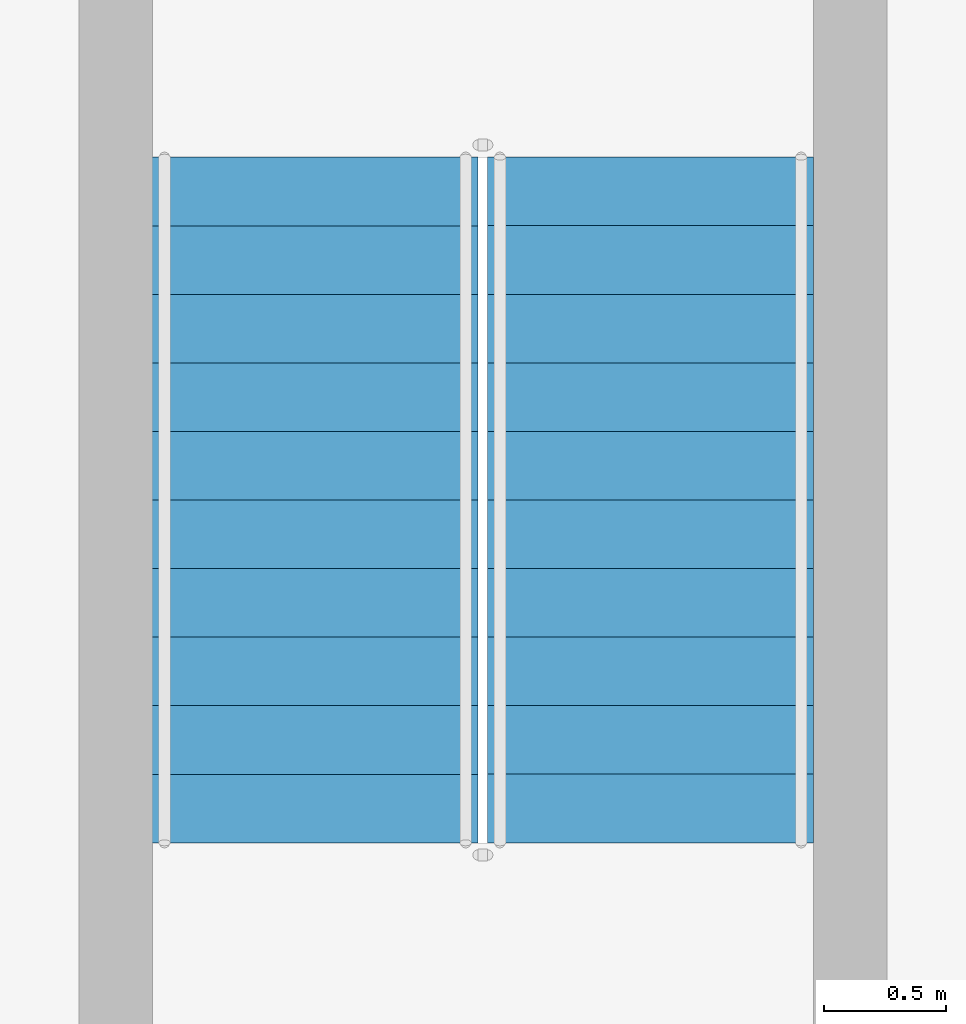
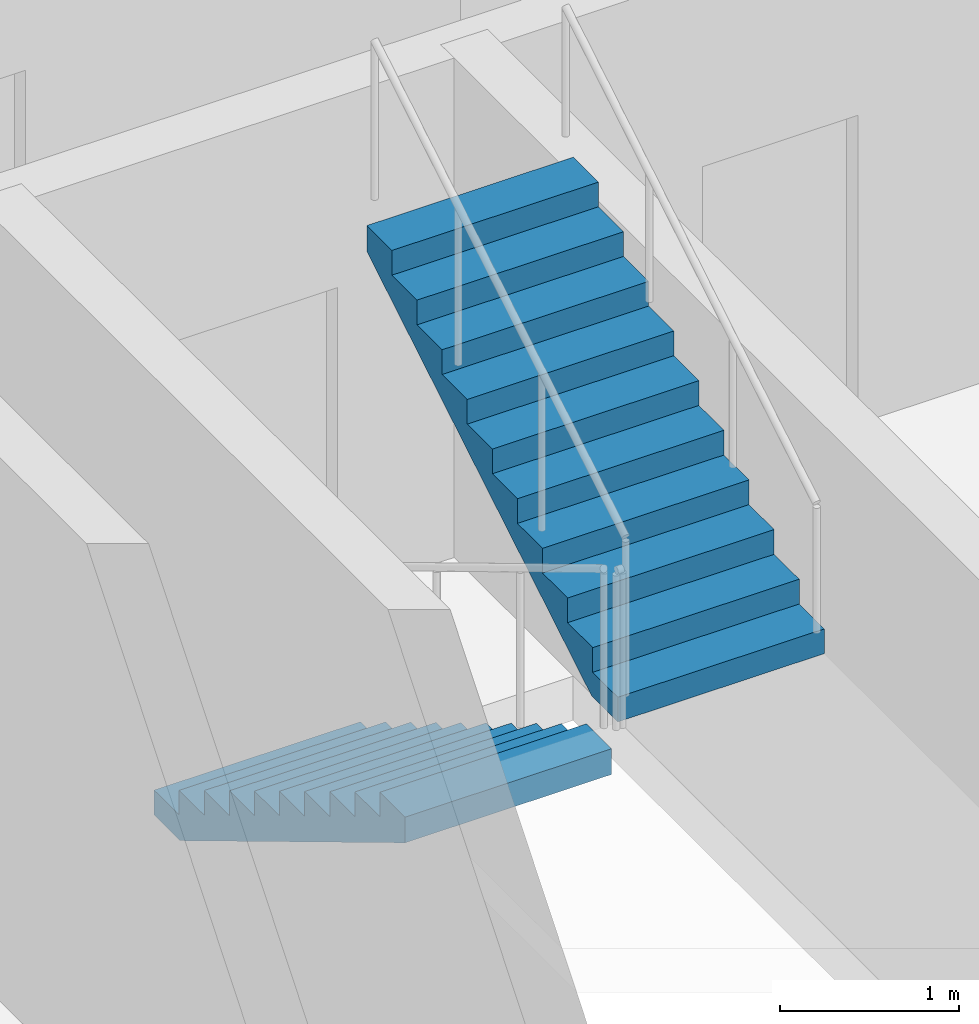
# One storey, part 15 of 25: 2 stair flights, 1 element without a shape of its own.
"""IFC4 building model written with IfcOpenShell, lengths in metres."""

from ifc_helpers import new_model, si_unit, direction, frame, origin, place, context, subcontext, project, spatial, triangles, source, transform, mapped, material, type_object, element, aggregate, save


model = new_model("IFC4")

# Units and contexts
model_context = context("Model", 3, precision=1e-05, world=origin(), true_north=direction((0.0, 1.0)))
body_context = subcontext(model_context, "Body", "Model", "MODEL_VIEW")
ifc_project = project(units=[si_unit("LENGTHUNIT", "METRE"), si_unit("AREAUNIT", "SQUARE_METRE"), si_unit("VOLUMEUNIT", "CUBIC_METRE"), si_unit("PLANEANGLEUNIT", "RADIAN"), si_unit("MASSUNIT", "GRAM", prefix="KILO")], contexts=[model_context])

# Site, building, storey
site_placement = place(None, origin())
site = spatial("IfcSite", under=ifc_project, at=site_placement, CompositionType="ELEMENT")
building_placement = place(site_placement, origin())
building = spatial("IfcBuilding", under=site, at=building_placement, Name="Ogive Portal Towers", CompositionType="ELEMENT")
storey_placement = place(building_placement, frame((0.0, 0.0, 124.10009765625)))
storey = spatial("IfcBuildingStorey", under=building, at=storey_placement, Name="L30", CompositionType="ELEMENT", Elevation=124.10009765625)

# Stair, stair flights
ifc_material = material(Name="Concrete C40/50", Category="concrete")
stair_type = type_object("IfcStairType", Name="INT-STAIR", PredefinedType="HALF_TURN_STAIR", material=ifc_material)
stair_placement = place(storey_placement, origin())
stair = element("IfcStair", 1, at=stair_placement, inside=storey, type_object=stair_type, Name="L30 Exit Stair ST-A4", PredefinedType="HALF_TURN_STAIR")
stair_flight_type = type_object("IfcStairFlightType", Name="INT-FLIGHT", PredefinedType="STRAIGHT", material=ifc_material)
shared_shape = source(origin(), body_context, "Body", "Tessellation", [
    triangles([(0.0, -0.6650390625, 0.0), (0.0, -0.384765625, 0.0), (0.0, -0.197021484375, 0.0), (0.0, -0.0830078125, 0.0), (0.0, -0.024658203125, 0.0), (0.0, -0.003173828125, 0.0), (0.0, 0.0, 0.0), (0.0, 0.003173828125, 0.0), (0.0, 0.024658203125, 0.0), (0.0, 0.0830078125, 0.0), (0.0, 0.197021484375, 0.0), (0.0, 0.384765625, 0.0), (0.0, 0.6650390625, 0.0), (0.0, -0.6650390625, 0.168212890625), (0.0, -0.384765625, 0.168212890625), (0.0, -0.197021484375, 0.168212890625), (0.0, -0.0830078125, 0.168212890625), (0.0, -0.024658203125, 0.168212890625), (0.0, -0.003173828125, 0.168212890625), (0.0, 0.0, 0.168212890625), (0.0, 0.003173828125, 0.168212890625), (0.0, 0.024658203125, 0.168212890625), (0.0, 0.0830078125, 0.168212890625), (0.0, 0.197021484375, 0.168212890625), (0.0, 0.384765625, 0.168212890625), (0.0, 0.6650390625, 0.168212890625), (0.280029296875, -0.6650390625, 0.168212890625), (0.280029296875, -0.384765625, 0.168212890625), (0.280029296875, -0.197021484375, 0.168212890625), (0.280029296875, -0.0830078125, 0.168212890625), (0.280029296875, -0.024658203125, 0.168212890625), (0.280029296875, -0.003173828125, 0.168212890625), (0.280029296875, 0.0, 0.168212890625), (0.280029296875, 0.003173828125, 0.168212890625), (0.280029296875, 0.024658203125, 0.168212890625), (0.280029296875, 0.0830078125, 0.168212890625), (0.280029296875, 0.197021484375, 0.168212890625), (0.280029296875, 0.384765625, 0.168212890625), (0.280029296875, 0.6650390625, 0.168212890625), (0.280029296875, -0.6650390625, 0.33642578125), (0.280029296875, -0.384765625, 0.33642578125), (0.280029296875, -0.197021484375, 0.33642578125), (0.280029296875, -0.0830078125, 0.33642578125), (0.280029296875, -0.024658203125, 0.33642578125), (0.280029296875, -0.003173828125, 0.33642578125), (0.280029296875, 0.0, 0.33642578125), (0.280029296875, 0.003173828125, 0.33642578125), (0.280029296875, 0.024658203125, 0.33642578125), (0.280029296875, 0.0830078125, 0.33642578125), (0.280029296875, 0.197021484375, 0.33642578125), (0.280029296875, 0.384765625, 0.33642578125), (0.280029296875, 0.6650390625, 0.33642578125), (0.56005859375, -0.6650390625, 0.33642578125), (0.56005859375, -0.384765625, 0.33642578125), (0.56005859375, -0.197021484375, 0.33642578125), (0.56005859375, -0.0830078125, 0.33642578125), (0.56005859375, -0.024658203125, 0.33642578125), (0.56005859375, -0.003173828125, 0.33642578125), (0.56005859375, 0.0, 0.33642578125), (0.56005859375, 0.003173828125, 0.33642578125), (0.56005859375, 0.024658203125, 0.33642578125), (0.56005859375, 0.0830078125, 0.33642578125), (0.56005859375, 0.197021484375, 0.33642578125), (0.56005859375, 0.384765625, 0.33642578125), (0.56005859375, 0.6650390625, 0.33642578125), (0.56005859375, -0.6650390625, 0.504638671875), (0.56005859375, -0.384765625, 0.504638671875), (0.56005859375, -0.197021484375, 0.504638671875), (0.56005859375, -0.0830078125, 0.504638671875), (0.56005859375, -0.024658203125, 0.504638671875), (0.56005859375, -0.003173828125, 0.504638671875), (0.56005859375, 0.0, 0.504638671875), (0.56005859375, 0.003173828125, 0.504638671875), (0.56005859375, 0.024658203125, 0.504638671875), (0.56005859375, 0.0830078125, 0.504638671875), (0.56005859375, 0.197021484375, 0.504638671875), (0.56005859375, 0.384765625, 0.504638671875), (0.56005859375, 0.6650390625, 0.504638671875), (0.840087890625, -0.6650390625, 0.504638671875), (0.840087890625, -0.384765625, 0.504638671875), (0.840087890625, -0.197021484375, 0.504638671875), (0.840087890625, -0.0830078125, 0.504638671875), (0.840087890625, -0.024658203125, 0.504638671875), (0.840087890625, -0.003173828125, 0.504638671875), (0.840087890625, 0.0, 0.504638671875), (0.840087890625, 0.003173828125, 0.504638671875), (0.840087890625, 0.024658203125, 0.504638671875), (0.840087890625, 0.0830078125, 0.504638671875), (0.840087890625, 0.197021484375, 0.504638671875), (0.840087890625, 0.384765625, 0.504638671875), (0.840087890625, 0.6650390625, 0.504638671875), (0.840087890625, -0.6650390625, 0.672607421875), (0.840087890625, -0.384765625, 0.672607421875), (0.840087890625, -0.197021484375, 0.672607421875), (0.840087890625, -0.0830078125, 0.672607421875), (0.840087890625, -0.024658203125, 0.672607421875), (0.840087890625, -0.003173828125, 0.672607421875), (0.840087890625, 0.0, 0.672607421875), (0.840087890625, 0.003173828125, 0.672607421875), (0.840087890625, 0.024658203125, 0.672607421875), (0.840087890625, 0.0830078125, 0.672607421875), (0.840087890625, 0.197021484375, 0.672607421875), (0.840087890625, 0.384765625, 0.672607421875), (0.840087890625, 0.6650390625, 0.672607421875), (1.1201171875, -0.6650390625, 0.672607421875), (1.1201171875, -0.384765625, 0.672607421875), (1.1201171875, -0.197021484375, 0.672607421875), (1.1201171875, -0.0830078125, 0.672607421875), (1.1201171875, -0.024658203125, 0.672607421875), (1.1201171875, -0.003173828125, 0.672607421875), (1.1201171875, 0.0, 0.672607421875), (1.1201171875, 0.003173828125, 0.672607421875), (1.1201171875, 0.024658203125, 0.672607421875), (1.1201171875, 0.0830078125, 0.672607421875), (1.1201171875, 0.197021484375, 0.672607421875), (1.1201171875, 0.384765625, 0.672607421875), (1.1201171875, 0.6650390625, 0.672607421875), (1.1201171875, -0.6650390625, 0.8408203125), (1.1201171875, -0.384765625, 0.8408203125), (1.1201171875, -0.197021484375, 0.8408203125), (1.1201171875, -0.0830078125, 0.8408203125), (1.1201171875, -0.024658203125, 0.8408203125), (1.1201171875, -0.003173828125, 0.8408203125), (1.1201171875, 0.0, 0.8408203125), (1.1201171875, 0.003173828125, 0.8408203125), (1.1201171875, 0.024658203125, 0.8408203125), (1.1201171875, 0.0830078125, 0.8408203125), (1.1201171875, 0.197021484375, 0.8408203125), (1.1201171875, 0.384765625, 0.8408203125), (1.1201171875, 0.6650390625, 0.8408203125), (1.39990234375, -0.6650390625, 0.8408203125), (1.39990234375, -0.384765625, 0.8408203125), (1.39990234375, -0.197021484375, 0.8408203125), (1.39990234375, -0.0830078125, 0.8408203125), (1.39990234375, -0.024658203125, 0.8408203125), (1.39990234375, -0.003173828125, 0.8408203125), (1.39990234375, 0.0, 0.8408203125), (1.39990234375, 0.003173828125, 0.8408203125), (1.39990234375, 0.024658203125, 0.8408203125), (1.39990234375, 0.0830078125, 0.8408203125), (1.39990234375, 0.197021484375, 0.8408203125), (1.39990234375, 0.384765625, 0.8408203125), (1.39990234375, 0.6650390625, 0.8408203125), (1.39990234375, -0.6650390625, 1.009033203125), (1.39990234375, -0.384765625, 1.009033203125), (1.39990234375, -0.197021484375, 1.009033203125), (1.39990234375, -0.0830078125, 1.009033203125), (1.39990234375, -0.024658203125, 1.009033203125), (1.39990234375, -0.003173828125, 1.009033203125), (1.39990234375, 0.0, 1.009033203125), (1.39990234375, 0.003173828125, 1.009033203125), (1.39990234375, 0.024658203125, 1.009033203125), (1.39990234375, 0.0830078125, 1.009033203125), (1.39990234375, 0.197021484375, 1.009033203125), (1.39990234375, 0.384765625, 1.009033203125), (1.39990234375, 0.6650390625, 1.009033203125), (1.679931640625, -0.6650390625, 1.009033203125), (1.679931640625, -0.384765625, 1.009033203125), (1.679931640625, -0.197021484375, 1.009033203125), (1.679931640625, -0.0830078125, 1.009033203125), (1.679931640625, -0.024658203125, 1.009033203125), (1.679931640625, -0.003173828125, 1.009033203125), (1.679931640625, 0.0, 1.009033203125), (1.679931640625, 0.003173828125, 1.009033203125), (1.679931640625, 0.024658203125, 1.009033203125), (1.679931640625, 0.0830078125, 1.009033203125), (1.679931640625, 0.197021484375, 1.009033203125), (1.679931640625, 0.384765625, 1.009033203125), (1.679931640625, 0.6650390625, 1.009033203125), (1.679931640625, -0.6650390625, 1.17724609375), (1.679931640625, -0.384765625, 1.17724609375), (1.679931640625, -0.197021484375, 1.17724609375), (1.679931640625, -0.0830078125, 1.17724609375), (1.679931640625, -0.024658203125, 1.17724609375), (1.679931640625, -0.003173828125, 1.17724609375), (1.679931640625, 0.0, 1.17724609375), (1.679931640625, 0.003173828125, 1.17724609375), (1.679931640625, 0.024658203125, 1.17724609375), (1.679931640625, 0.0830078125, 1.17724609375), (1.679931640625, 0.197021484375, 1.17724609375), (1.679931640625, 0.384765625, 1.17724609375), (1.679931640625, 0.6650390625, 1.17724609375), (1.9599609375, -0.6650390625, 1.17724609375), (1.9599609375, -0.384765625, 1.17724609375), (1.9599609375, -0.197021484375, 1.17724609375), (1.9599609375, -0.0830078125, 1.17724609375), (1.9599609375, -0.024658203125, 1.17724609375), (1.9599609375, -0.003173828125, 1.17724609375), (1.9599609375, 0.0, 1.17724609375), (1.9599609375, 0.003173828125, 1.17724609375), (1.9599609375, 0.024658203125, 1.17724609375), (1.9599609375, 0.0830078125, 1.17724609375), (1.9599609375, 0.197021484375, 1.17724609375), (1.9599609375, 0.384765625, 1.17724609375), (1.9599609375, 0.6650390625, 1.17724609375), (1.9599609375, -0.6650390625, 1.345458984375), (1.9599609375, -0.384765625, 1.345458984375), (1.9599609375, -0.197021484375, 1.345458984375), (1.9599609375, -0.0830078125, 1.345458984375), (1.9599609375, -0.024658203125, 1.345458984375), (1.9599609375, -0.003173828125, 1.345458984375), (1.9599609375, 0.0, 1.345458984375), (1.9599609375, 0.003173828125, 1.345458984375), (1.9599609375, 0.024658203125, 1.345458984375), (1.9599609375, 0.0830078125, 1.345458984375), (1.9599609375, 0.197021484375, 1.345458984375), (1.9599609375, 0.384765625, 1.345458984375), (1.9599609375, 0.6650390625, 1.345458984375), (2.239990234375, -0.6650390625, 1.345458984375), (2.239990234375, -0.384765625, 1.345458984375), (2.239990234375, -0.197021484375, 1.345458984375), (2.239990234375, -0.0830078125, 1.345458984375), (2.239990234375, -0.024658203125, 1.345458984375), (2.239990234375, -0.003173828125, 1.345458984375), (2.239990234375, 0.0, 1.345458984375), (2.239990234375, 0.003173828125, 1.345458984375), (2.239990234375, 0.024658203125, 1.345458984375), (2.239990234375, 0.0830078125, 1.345458984375), (2.239990234375, 0.197021484375, 1.345458984375), (2.239990234375, 0.384765625, 1.345458984375), (2.239990234375, 0.6650390625, 1.345458984375), (2.239990234375, -0.6650390625, 1.513671875), (2.239990234375, -0.384765625, 1.513671875), (2.239990234375, -0.197021484375, 1.513671875), (2.239990234375, -0.0830078125, 1.513671875), (2.239990234375, -0.024658203125, 1.513671875), (2.239990234375, -0.003173828125, 1.513671875), (2.239990234375, 0.0, 1.513671875), (2.239990234375, 0.003173828125, 1.513671875), (2.239990234375, 0.024658203125, 1.513671875), (2.239990234375, 0.0830078125, 1.513671875), (2.239990234375, 0.197021484375, 1.513671875), (2.239990234375, 0.384765625, 1.513671875), (2.239990234375, 0.6650390625, 1.513671875), (2.52001953125, -0.6650390625, 1.513671875), (2.52001953125, -0.384765625, 1.513671875), (2.52001953125, -0.197021484375, 1.513671875), (2.52001953125, -0.0830078125, 1.513671875), (2.52001953125, -0.024658203125, 1.513671875), (2.52001953125, -0.003173828125, 1.513671875), (2.52001953125, 0.0, 1.513671875), (2.52001953125, 0.003173828125, 1.513671875), (2.52001953125, 0.024658203125, 1.513671875), (2.52001953125, 0.0830078125, 1.513671875), (2.52001953125, 0.197021484375, 1.513671875), (2.52001953125, 0.384765625, 1.513671875), (2.52001953125, 0.6650390625, 1.513671875), (2.52001953125, -0.6650390625, 1.681884765625), (2.52001953125, -0.384765625, 1.681884765625), (2.52001953125, -0.197021484375, 1.681884765625), (2.52001953125, -0.0830078125, 1.681884765625), (2.52001953125, -0.024658203125, 1.681884765625), (2.52001953125, -0.003173828125, 1.681884765625), (2.52001953125, 0.0, 1.681884765625), (2.52001953125, 0.003173828125, 1.681884765625), (2.52001953125, 0.024658203125, 1.681884765625), (2.52001953125, 0.0830078125, 1.681884765625), (2.52001953125, 0.197021484375, 1.681884765625), (2.52001953125, 0.384765625, 1.681884765625), (2.52001953125, 0.6650390625, 1.681884765625), (2.800048828125, -0.6650390625, 1.681884765625), (2.800048828125, -0.384765625, 1.681884765625), (2.800048828125, -0.197021484375, 1.681884765625), (2.800048828125, -0.0830078125, 1.681884765625), (2.800048828125, -0.024658203125, 1.681884765625), (2.800048828125, -0.003173828125, 1.681884765625), (2.800048828125, 0.0, 1.681884765625), (2.800048828125, 0.003173828125, 1.681884765625), (2.800048828125, 0.024658203125, 1.681884765625), (2.800048828125, 0.0830078125, 1.681884765625), (2.800048828125, 0.197021484375, 1.681884765625), (2.800048828125, 0.384765625, 1.681884765625), (2.800048828125, 0.6650390625, 1.681884765625), (2.800048828125, -0.6650390625, 1.5068359375), (2.800048828125, -0.384765625, 1.5068359375), (2.800048828125, -0.197021484375, 1.5068359375), (2.800048828125, -0.0830078125, 1.5068359375), (2.800048828125, -0.024658203125, 1.5068359375), (2.800048828125, -0.003173828125, 1.5068359375), (2.800048828125, 0.0, 1.5068359375), (2.800048828125, 0.003173828125, 1.5068359375), (2.800048828125, 0.024658203125, 1.5068359375), (2.800048828125, 0.0830078125, 1.5068359375), (2.800048828125, 0.197021484375, 1.5068359375), (2.800048828125, 0.384765625, 1.5068359375), (2.800048828125, 0.6650390625, 1.5068359375), (0.291015625, -0.6650390625, 0.0), (0.291015625, -0.384765625, 0.0), (0.291015625, -0.197021484375, 0.0), (0.291015625, -0.0830078125, 0.0), (0.291015625, -0.024658203125, 0.0), (0.291015625, -0.003173828125, 0.0), (0.291015625, 0.0, 0.0), (0.291015625, 0.003173828125, 0.0), (0.291015625, 0.024658203125, 0.0), (0.291015625, 0.0830078125, 0.0), (0.291015625, 0.197021484375, 0.0), (0.291015625, 0.384765625, 0.0), (0.291015625, 0.6650390625, 0.0)], [[1, 14, 15], [1, 15, 2], [2, 15, 16], [2, 16, 3], [3, 16, 17], [3, 17, 4], [4, 17, 18], [4, 18, 5], [5, 18, 19], [5, 19, 6], [6, 19, 20], [6, 20, 7], [7, 20, 21], [7, 21, 8], [8, 21, 22], [8, 22, 9], [9, 22, 23], [9, 23, 10], [10, 23, 24], [10, 24, 11], [11, 24, 25], [11, 25, 12], [12, 25, 26], [12, 26, 13], [14, 27, 28], [14, 28, 15], [15, 28, 29], [15, 29, 16], [16, 29, 30], [16, 30, 17], [17, 30, 31], [17, 31, 18], [18, 31, 32], [18, 32, 19], [19, 32, 33], [19, 33, 20], [20, 33, 34], [20, 34, 21], [21, 34, 35], [21, 35, 22], [22, 35, 36], [22, 36, 23], [23, 36, 37], [23, 37, 24], [24, 37, 38], [24, 38, 25], [25, 38, 39], [25, 39, 26], [27, 40, 41], [27, 41, 28], [28, 41, 42], [28, 42, 29], [29, 42, 43], [29, 43, 30], [30, 43, 44], [30, 44, 31], [31, 44, 45], [31, 45, 32], [32, 45, 46], [32, 46, 33], [33, 46, 47], [33, 47, 34], [34, 47, 48], [34, 48, 35], [35, 48, 49], [35, 49, 36], [36, 49, 50], [36, 50, 37], [37, 50, 51], [37, 51, 38], [38, 51, 52], [38, 52, 39], [40, 53, 54], [40, 54, 41], [41, 54, 55], [41, 55, 42], [42, 55, 56], [42, 56, 43], [43, 56, 57], [43, 57, 44], [44, 57, 58], [44, 58, 45], [45, 58, 59], [45, 59, 46], [46, 59, 60], [46, 60, 47], [47, 60, 61], [47, 61, 48], [48, 61, 62], [48, 62, 49], [49, 62, 63], [49, 63, 50], [50, 63, 64], [50, 64, 51], [51, 64, 65], [51, 65, 52], [53, 66, 67], [53, 67, 54], [54, 67, 68], [54, 68, 55], [55, 68, 69], [55, 69, 56], [56, 69, 70], [56, 70, 57], [57, 70, 71], [57, 71, 58], [58, 71, 72], [58, 72, 59], [59, 72, 73], [59, 73, 60], [60, 73, 74], [60, 74, 61], [61, 74, 75], [61, 75, 62], [62, 75, 76], [62, 76, 63], [63, 76, 77], [63, 77, 64], [64, 77, 78], [64, 78, 65], [66, 79, 80], [66, 80, 67], [67, 80, 81], [67, 81, 68], [68, 81, 82], [68, 82, 69], [69, 82, 83], [69, 83, 70], [70, 83, 84], [70, 84, 71], [71, 84, 85], [71, 85, 72], [72, 85, 86], [72, 86, 73], [73, 86, 87], [73, 87, 74], [74, 87, 88], [74, 88, 75], [75, 88, 89], [75, 89, 76], [76, 89, 90], [76, 90, 77], [77, 90, 91], [77, 91, 78], [79, 92, 93], [79, 93, 80], [80, 93, 94], [80, 94, 81], [81, 94, 95], [81, 95, 82], [82, 95, 96], [82, 96, 83], [83, 96, 97], [83, 97, 84], [84, 97, 98], [84, 98, 85], [85, 98, 99], [85, 99, 86], [86, 99, 100], [86, 100, 87], [87, 100, 101], [87, 101, 88], [88, 101, 102], [88, 102, 89], [89, 102, 103], [89, 103, 90], [90, 103, 104], [90, 104, 91], [92, 105, 106], [92, 106, 93], [93, 106, 107], [93, 107, 94], [94, 107, 108], [94, 108, 95], [95, 108, 109], [95, 109, 96], [96, 109, 110], [96, 110, 97], [97, 110, 111], [97, 111, 98], [98, 111, 112], [98, 112, 99], [99, 112, 113], [99, 113, 100], [100, 113, 114], [100, 114, 101], [101, 114, 115], [101, 115, 102], [102, 115, 116], [102, 116, 103], [103, 116, 117], [103, 117, 104], [105, 118, 119], [105, 119, 106], [106, 119, 120], [106, 120, 107], [107, 120, 121], [107, 121, 108], [108, 121, 122], [108, 122, 109], [109, 122, 123], [109, 123, 110], [110, 123, 124], [110, 124, 111], [111, 124, 125], [111, 125, 112], [112, 125, 126], [112, 126, 113], [113, 126, 127], [113, 127, 114], [114, 127, 128], [114, 128, 115], [115, 128, 129], [115, 129, 116], [116, 129, 130], [116, 130, 117], [118, 131, 132], [118, 132, 119], [119, 132, 133], [119, 133, 120], [120, 133, 134], [120, 134, 121], [121, 134, 135], [121, 135, 122], [122, 135, 136], [122, 136, 123], [123, 136, 137], [123, 137, 124], [124, 137, 138], [124, 138, 125], [125, 138, 139], [125, 139, 126], [126, 139, 140], [126, 140, 127], [127, 140, 141], [127, 141, 128], [128, 141, 142], [128, 142, 129], [129, 142, 143], [129, 143, 130], [131, 144, 145], [131, 145, 132], [132, 145, 146], [132, 146, 133], [133, 146, 147], [133, 147, 134], [134, 147, 148], [134, 148, 135], [135, 148, 149], [135, 149, 136], [136, 149, 150], [136, 150, 137], [137, 150, 151], [137, 151, 138], [138, 151, 152], [138, 152, 139], [139, 152, 153], [139, 153, 140], [140, 153, 154], [140, 154, 141], [141, 154, 155], [141, 155, 142], [142, 155, 156], [142, 156, 143], [144, 157, 158], [144, 158, 145], [145, 158, 159], [145, 159, 146], [146, 159, 160], [146, 160, 147], [147, 160, 161], [147, 161, 148], [148, 161, 162], [148, 162, 149], [149, 162, 163], [149, 163, 150], [150, 163, 164], [150, 164, 151], [151, 164, 165], [151, 165, 152], [152, 165, 166], [152, 166, 153], [153, 166, 167], [153, 167, 154], [154, 167, 168], [154, 168, 155], [155, 168, 169], [155, 169, 156], [157, 170, 171], [157, 171, 158], [158, 171, 172], [158, 172, 159], [159, 172, 173], [159, 173, 160], [160, 173, 174], [160, 174, 161], [161, 174, 175], [161, 175, 162], [162, 175, 176], [162, 176, 163], [163, 176, 177], [163, 177, 164], [164, 177, 178], [164, 178, 165], [165, 178, 179], [165, 179, 166], [166, 179, 180], [166, 180, 167], [167, 180, 181], [167, 181, 168], [168, 181, 182], [168, 182, 169], [170, 183, 184], [170, 184, 171], [171, 184, 185], [171, 185, 172], [172, 185, 186], [172, 186, 173], [173, 186, 187], [173, 187, 174], [174, 187, 188], [174, 188, 175], [175, 188, 189], [175, 189, 176], [176, 189, 190], [176, 190, 177], [177, 190, 191], [177, 191, 178], [178, 191, 192], [178, 192, 179], [179, 192, 193], [179, 193, 180], [180, 193, 194], [180, 194, 181], [181, 194, 195], [181, 195, 182], [183, 196, 197], [183, 197, 184], [184, 197, 198], [184, 198, 185], [185, 198, 199], [185, 199, 186], [186, 199, 200], [186, 200, 187], [187, 200, 201], [187, 201, 188], [188, 201, 202], [188, 202, 189], [189, 202, 203], [189, 203, 190], [190, 203, 204], [190, 204, 191], [191, 204, 205], [191, 205, 192], [192, 205, 206], [192, 206, 193], [193, 206, 207], [193, 207, 194], [194, 207, 208], [194, 208, 195], [196, 209, 210], [196, 210, 197], [197, 210, 211], [197, 211, 198], [198, 211, 212], [198, 212, 199], [199, 212, 213], [199, 213, 200], [200, 213, 214], [200, 214, 201], [201, 214, 215], [201, 215, 202], [202, 215, 216], [202, 216, 203], [203, 216, 217], [203, 217, 204], [204, 217, 218], [204, 218, 205], [205, 218, 219], [205, 219, 206], [206, 219, 220], [206, 220, 207], [207, 220, 221], [207, 221, 208], [209, 222, 223], [209, 223, 210], [210, 223, 224], [210, 224, 211], [211, 224, 225], [211, 225, 212], [212, 225, 226], [212, 226, 213], [213, 226, 227], [213, 227, 214], [214, 227, 228], [214, 228, 215], [215, 228, 229], [215, 229, 216], [216, 229, 230], [216, 230, 217], [217, 230, 231], [217, 231, 218], [218, 231, 232], [218, 232, 219], [219, 232, 233], [219, 233, 220], [220, 233, 234], [220, 234, 221], [222, 235, 236], [222, 236, 223], [223, 236, 237], [223, 237, 224], [224, 237, 238], [224, 238, 225], [225, 238, 239], [225, 239, 226], [226, 239, 240], [226, 240, 227], [227, 240, 241], [227, 241, 228], [228, 241, 242], [228, 242, 229], [229, 242, 243], [229, 243, 230], [230, 243, 244], [230, 244, 231], [231, 244, 245], [231, 245, 232], [232, 245, 246], [232, 246, 233], [233, 246, 247], [233, 247, 234], [235, 248, 249], [235, 249, 236], [236, 249, 250], [236, 250, 237], [237, 250, 251], [237, 251, 238], [238, 251, 252], [238, 252, 239], [239, 252, 253], [239, 253, 240], [240, 253, 254], [240, 254, 241], [241, 254, 255], [241, 255, 242], [242, 255, 256], [242, 256, 243], [243, 256, 257], [243, 257, 244], [244, 257, 258], [244, 258, 245], [245, 258, 259], [245, 259, 246], [246, 259, 260], [246, 260, 247], [248, 261, 262], [248, 262, 249], [249, 262, 263], [249, 263, 250], [250, 263, 264], [250, 264, 251], [251, 264, 265], [251, 265, 252], [252, 265, 266], [252, 266, 253], [253, 266, 267], [253, 267, 254], [254, 267, 268], [254, 268, 255], [255, 268, 269], [255, 269, 256], [256, 269, 270], [256, 270, 257], [257, 270, 271], [257, 271, 258], [258, 271, 272], [258, 272, 259], [259, 272, 273], [259, 273, 260], [261, 274, 275], [261, 275, 262], [262, 275, 276], [262, 276, 263], [263, 276, 277], [263, 277, 264], [264, 277, 278], [264, 278, 265], [265, 278, 279], [265, 279, 266], [266, 279, 280], [266, 280, 267], [267, 280, 281], [267, 281, 268], [268, 281, 282], [268, 282, 269], [269, 282, 283], [269, 283, 270], [270, 283, 284], [270, 284, 271], [271, 284, 285], [271, 285, 272], [272, 285, 286], [272, 286, 273], [274, 287, 288], [274, 288, 275], [275, 288, 289], [275, 289, 276], [276, 289, 290], [276, 290, 277], [277, 290, 291], [277, 291, 278], [278, 291, 292], [278, 292, 279], [279, 292, 293], [279, 293, 280], [280, 293, 294], [280, 294, 281], [281, 294, 295], [281, 295, 282], [282, 295, 296], [282, 296, 283], [283, 296, 297], [283, 297, 284], [284, 297, 298], [284, 298, 285], [285, 298, 299], [285, 299, 286], [287, 1, 2], [287, 2, 288], [288, 2, 3], [288, 3, 289], [289, 3, 4], [289, 4, 290], [290, 4, 5], [290, 5, 291], [291, 5, 6], [291, 6, 292], [292, 6, 7], [292, 7, 293], [293, 7, 8], [293, 8, 294], [294, 8, 9], [294, 9, 295], [295, 9, 10], [295, 10, 296], [296, 10, 11], [296, 11, 297], [297, 11, 12], [297, 12, 298], [298, 12, 13], [298, 13, 299], [1, 287, 274], [13, 286, 299], [274, 261, 248], [286, 260, 273], [274, 248, 235], [286, 247, 260], [274, 235, 222], [286, 234, 247], [274, 222, 209], [286, 221, 234], [209, 196, 183], [221, 195, 208], [274, 209, 183], [286, 195, 221], [183, 170, 157], [195, 169, 182], [274, 183, 157], [286, 169, 195], [157, 144, 131], [169, 143, 156], [274, 157, 131], [286, 143, 169], [131, 118, 105], [143, 117, 130], [274, 131, 105], [286, 117, 143], [1, 274, 105], [13, 117, 286], [105, 92, 79], [117, 91, 104], [79, 66, 53], [91, 65, 78], [105, 79, 53], [117, 65, 91], [53, 40, 27], [65, 39, 52], [105, 53, 27], [117, 39, 65], [1, 105, 27], [13, 39, 117], [27, 14, 1], [39, 13, 26]], closed=True),
])
stair_flight_1_placement = place(storey_placement, frame((87.6650390625, 29.169921875, 0.0), z_axis=(0.0, 0.0, 1.0), x_axis=(0.0, -1.0, 0.0)))
stair_flight_1 = element("IfcStairFlight", 2, at=stair_flight_1_placement, type_object=stair_flight_type, Name="ST-A4 flight 1", NumberOfRisers=11, NumberOfTreads=10, PredefinedType="STRAIGHT", RiserHeight=0.168181818, TreadLength=0.28, context=body_context, shape_type="MappedRepresentation", body=[
    mapped(shared_shape, transform((0.0, 0.0, 0.0), scale=1.0)),
])
stair_flight_2_placement = place(storey_placement, frame((89.034912109375, 26.3701171875, 1.849853515625), z_axis=(0.0, 0.0, 1.0), x_axis=(0.0, 1.0, 0.0)))
stair_flight_2 = element("IfcStairFlight", 3, at=stair_flight_2_placement, type_object=stair_flight_type, Name="ST-A4 flight 2", NumberOfRisers=11, NumberOfTreads=10, PredefinedType="STRAIGHT", RiserHeight=0.168181818, TreadLength=0.28, context=body_context, shape_type="MappedRepresentation", body=[
    mapped(shared_shape, transform((0.0, 0.0, 0.0), scale=1.0)),
])
aggregate(stair, [stair_flight_1, stair_flight_2])

save(model, "model.ifc")
